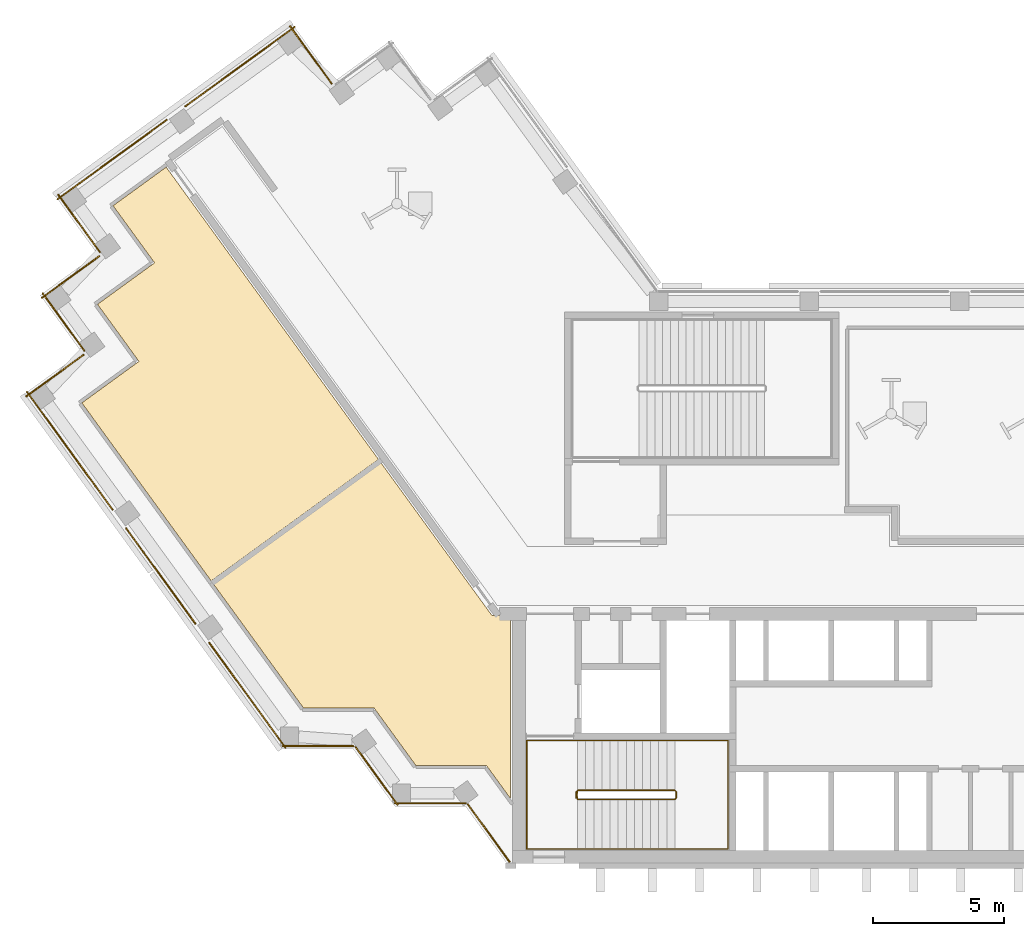
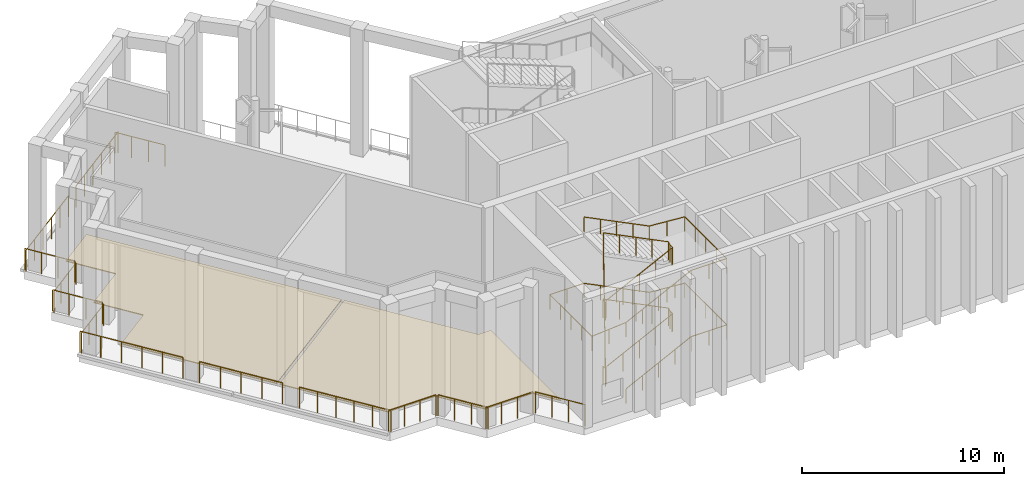
# One storey, part 7 of 12: 16 railings, 2 coverings.
"""IFC4 building model written with IfcOpenShell, lengths in metres."""

from ifc_helpers import new_model, si_unit, direction, frame, origin, origin_2d, place, context, subcontext, project, spatial, polyline, circle, outline, extrude, material, layer, layer_set, type_object, element, save


model = new_model("IFC4")

# Units and contexts
model_context = context("Model", 3, precision=1e-05, world=origin(), true_north=direction((0.0, 1.0)))
body_context = subcontext(model_context, "Body", "Model", "MODEL_VIEW")
ifc_project = project(units=[si_unit("LENGTHUNIT", "METRE"), si_unit("AREAUNIT", "SQUARE_METRE"), si_unit("VOLUMEUNIT", "CUBIC_METRE"), si_unit("PLANEANGLEUNIT", "RADIAN"), si_unit("MASSUNIT", "GRAM", prefix="KILO")], contexts=[model_context])

# Site, building, storey
site_placement = place(None, origin())
site = spatial("IfcSite", under=ifc_project, at=site_placement, CompositionType="ELEMENT")
building_placement = place(site_placement, origin())
building = spatial("IfcBuilding", under=site, at=building_placement, Name="Quipu Civic Tower", CompositionType="ELEMENT")
storey_placement = place(building_placement, frame((0.0, 0.0, 273.0)))
storey = spatial("IfcBuildingStorey", under=building, at=storey_placement, Name="L64", CompositionType="ELEMENT", Elevation=273.0)

# Coverings
ifc_material_1 = material(Name="Sealed cement screed")
ifc_layer = layer(ifc_material_1, 0.050048828125)
ifc_layer_set = layer_set([ifc_layer], Name="Sealed cement screed")
covering_type = type_object("IfcCoveringType", Name="Sealed screed floor finish 50", PredefinedType="FLOORING", material=ifc_layer_set)
covering_1_placement = place(storey_placement, origin())
element("IfcCovering", 1, at=covering_1_placement, inside=storey, type_object=covering_type, Name="Sealed screed floor finish 50", PredefinedType="FLOORING", context=body_context, shape_type="SweptSolid", body=[
    extrude(outline(polyline([(-31.43505859375, -0.303955078125), (-25.034912109375, 4.344970703125), (-20.77490234375, -1.51904296875), (-20.070068359375, -1.52001953125), (-20.070068359375, -8.514892578125), (-20.991943359375, -7.24609375), (-23.69189453125, -7.24609375), (-25.279052734375, -5.06103515625), (-27.97900390625, -5.06103515625), (-31.43505859375, -0.303955078125)])), origin(), (0.0, 0.0, 1.0), 0.050048828125),
])
covering_2_placement = place(storey_placement, origin())
element("IfcCovering", 2, at=covering_2_placement, inside=storey, type_object=covering_type, Name="Sealed screed floor finish 50", PredefinedType="FLOORING", context=body_context, shape_type="SweptSolid", body=[
    extrude(outline(polyline([(-36.462890625, 6.616943359375), (-34.280029296875, 8.2041015625), (-35.865966796875, 10.387939453125), (-33.68310546875, 11.97412109375), (-35.26904296875, 14.159912109375), (-33.238037109375, 15.635009765625), (-25.117919921875, 4.4580078125), (-31.51806640625, -0.19091796875), (-36.462890625, 6.616943359375)])), origin(), (0.0, 0.0, 1.0), 0.050048828125),
])

# Railings
ifc_material_2 = material(Name="Steel S275", Category="steel")
railing_type_1 = type_object("IfcRailingType", Name="Slot perimeter guard G3", PredefinedType="GUARDRAIL", material=ifc_material_2)
railing_1_placement = place(storey_placement, frame((-26.910888671875, 18.8349609375, 0.0)))
element("IfcRailing", 3, at=railing_1_placement, inside=storey, type_object=railing_type_1, Name="Slot guard L64.6", PredefinedType="GUARDRAIL", context=body_context, shape_type="SweptSolid", body=[
    extrude(circle(Radius=0.02490234375, at=origin_2d()), frame((0.0, 0.0, 1.27490234375), z_axis=(-0.587720002413, 0.809064397168, 0.0), x_axis=(-0.809064397168, -0.587720002413, 0.0)), (0.0, 0.0, 1.0), 2.7001953125),
    extrude(circle(Radius=0.02490234375, at=origin_2d()), origin(), (0.0, 0.0, 1.0), 1.25),
    extrude(circle(Radius=0.02490234375, at=origin_2d()), frame((-0.529052734375, 0.728271484375, 0.0)), (0.0, 0.0, 1.0), 1.25),
    extrude(circle(Radius=0.02490234375, at=origin_2d()), frame((-1.057861328125, 1.456298828125, 0.0)), (0.0, 0.0, 1.0), 1.25),
    extrude(circle(Radius=0.02490234375, at=origin_2d()), frame((-1.5869140625, 2.1845703125, 0.0)), (0.0, 0.0, 1.0), 1.25),
])
for number, where, name in (
    (4, (-28.330322265625, 20.992919921875, 0.0), "Slot guard L64.7"),
    (5, (-33.224853515625, 17.436767578125, 0.0), "Slot guard L64.8"),
):
    element("IfcRailing", number, at=place(storey_placement, frame(where)), inside=storey, type_object=railing_type_1, Name=name, PredefinedType="GUARDRAIL", context=body_context, shape_type="SweptSolid", body=[
        extrude(circle(Radius=0.02490234375, at=origin_2d()), frame((0.0, 0.0, 1.27490234375), z_axis=(-0.809020934422, -0.587779829245, 0.0), x_axis=(0.587779829245, -0.809020934422, 0.0)), (0.0, 0.0, 1.0), 5.150146484375),
        extrude(circle(Radius=0.02490234375, at=origin_2d()), origin(), (0.0, 0.0, 1.0), 1.25),
        extrude(circle(Radius=0.02490234375, at=origin_2d()), frame((-0.833251953125, -0.60546875, 0.0)), (0.0, 0.0, 1.0), 1.25),
        extrude(circle(Radius=0.02490234375, at=origin_2d()), frame((-1.66650390625, -1.2109375, 0.0)), (0.0, 0.0, 1.0), 1.25),
        extrude(circle(Radius=0.02490234375, at=origin_2d()), frame((-2.5, -1.816162109375, 0.0)), (0.0, 0.0, 1.0), 1.25),
        extrude(circle(Radius=0.02490234375, at=origin_2d()), frame((-3.333251953125, -2.421630859375, 0.0)), (0.0, 0.0, 1.0), 1.25),
        extrude(circle(Radius=0.02490234375, at=origin_2d()), frame((-4.16650390625, -3.027099609375, 0.0)), (0.0, 0.0, 1.0), 1.25),
    ])
railing_2_placement = place(storey_placement, frame((-37.36474609375, 14.577392578125, 0.0)))
element("IfcRailing", 6, at=railing_2_placement, inside=storey, type_object=railing_type_1, Name="Slot guard L64.9", PredefinedType="GUARDRAIL", context=body_context, shape_type="SweptSolid", body=[
    extrude(circle(Radius=0.02490234375, at=origin_2d()), frame((0.0, 0.0, 1.27490234375), z_axis=(0.587720002413, -0.809064397168, 0.0), x_axis=(0.809064397168, 0.587720002413, 0.0)), (0.0, 0.0, 1.0), 2.7001953125),
    extrude(circle(Radius=0.02490234375, at=origin_2d()), origin(), (0.0, 0.0, 1.0), 1.25),
    extrude(circle(Radius=0.02490234375, at=origin_2d()), frame((0.529052734375, -0.728271484375, 0.0)), (0.0, 0.0, 1.0), 1.25),
    extrude(circle(Radius=0.02490234375, at=origin_2d()), frame((1.057861328125, -1.456298828125, 0.0)), (0.0, 0.0, 1.0), 1.25),
    extrude(circle(Radius=0.02490234375, at=origin_2d()), frame((1.5869140625, -2.1845703125, 0.0)), (0.0, 0.0, 1.0), 1.25),
])
railing_3_placement = place(storey_placement, frame((-35.80419921875, 12.225341796875, 0.0)))
element("IfcRailing", 7, at=railing_3_placement, inside=storey, type_object=railing_type_1, Name="Slot guard L64.10", PredefinedType="GUARDRAIL", context=body_context, shape_type="SweptSolid", body=[
    extrude(circle(Radius=0.02490234375, at=origin_2d()), frame((0.0, 0.0, 1.27490234375), z_axis=(-0.809033161865, -0.587762999008, 0.0), x_axis=(0.587762999008, -0.809033161865, 0.0)), (0.0, 0.0, 1.0), 2.699951171875),
    extrude(circle(Radius=0.02490234375, at=origin_2d()), origin(), (0.0, 0.0, 1.0), 1.25),
    extrude(circle(Radius=0.02490234375, at=origin_2d()), frame((-0.72802734375, -0.529052734375, 0.0)), (0.0, 0.0, 1.0), 1.25),
    extrude(circle(Radius=0.02490234375, at=origin_2d()), frame((-1.456298828125, -1.057861328125, 0.0)), (0.0, 0.0, 1.0), 1.25),
    extrude(circle(Radius=0.02490234375, at=origin_2d()), frame((-2.184326171875, -1.5869140625, 0.0)), (0.0, 0.0, 1.0), 1.25),
])
railing_4_placement = place(storey_placement, frame((-37.9619140625, 10.805908203125, 0.0)))
element("IfcRailing", 8, at=railing_4_placement, inside=storey, type_object=railing_type_1, Name="Slot guard L64.11", PredefinedType="GUARDRAIL", context=body_context, shape_type="SweptSolid", body=[
    extrude(circle(Radius=0.02490234375, at=origin_2d()), frame((0.0, 0.0, 1.27490234375), z_axis=(0.587762999008, -0.809033161865, 0.0), x_axis=(0.809033161865, 0.587762999008, 0.0)), (0.0, 0.0, 1.0), 2.699951171875),
    extrude(circle(Radius=0.02490234375, at=origin_2d()), origin(), (0.0, 0.0, 1.0), 1.25),
    extrude(circle(Radius=0.02490234375, at=origin_2d()), frame((0.529052734375, -0.72802734375, 0.0)), (0.0, 0.0, 1.0), 1.25),
    extrude(circle(Radius=0.02490234375, at=origin_2d()), frame((1.057861328125, -1.456298828125, 0.0)), (0.0, 0.0, 1.0), 1.25),
    extrude(circle(Radius=0.02490234375, at=origin_2d()), frame((1.5869140625, -2.184326171875, 0.0)), (0.0, 0.0, 1.0), 1.25),
])
railing_5_placement = place(storey_placement, frame((-36.401611328125, 8.4541015625, 0.0)))
element("IfcRailing", 9, at=railing_5_placement, inside=storey, type_object=railing_type_1, Name="Slot guard L64.12", PredefinedType="GUARDRAIL", context=body_context, shape_type="SweptSolid", body=[
    extrude(circle(Radius=0.02490234375, at=origin_2d()), frame((0.0, 0.0, 1.27490234375), z_axis=(-0.808990163075, -0.587822180636, 0.0), x_axis=(0.587822180636, -0.808990163075, 0.0)), (0.0, 0.0, 1.0), 2.699951171875),
    extrude(circle(Radius=0.02490234375, at=origin_2d()), origin(), (0.0, 0.0, 1.0), 1.25),
    extrude(circle(Radius=0.02490234375, at=origin_2d()), frame((-0.72802734375, -0.529052734375, 0.0)), (0.0, 0.0, 1.0), 1.25),
    extrude(circle(Radius=0.02490234375, at=origin_2d()), frame((-1.456298828125, -1.05810546875, 0.0)), (0.0, 0.0, 1.0), 1.25),
    extrude(circle(Radius=0.02490234375, at=origin_2d()), frame((-2.184326171875, -1.587158203125, 0.0)), (0.0, 0.0, 1.0), 1.25),
])
railing_6_placement = place(storey_placement, frame((-38.559326171875, 7.034423828125, 0.0)))
element("IfcRailing", 10, at=railing_6_placement, inside=storey, type_object=railing_type_1, Name="Slot guard L64.13", PredefinedType="GUARDRAIL", context=body_context, shape_type="SweptSolid", body=[
    extrude(circle(Radius=0.02490234375, at=origin_2d()), frame((0.0, 0.0, 1.27490234375), z_axis=(0.587792681031, -0.809011597028, 0.0), x_axis=(0.809011597028, 0.587792681031, 0.0)), (0.0, 0.0, 1.0), 5.554443359375),
    extrude(circle(Radius=0.02490234375, at=origin_2d()), origin(), (0.0, 0.0, 1.0), 1.25),
    extrude(circle(Radius=0.02490234375, at=origin_2d()), frame((0.653076171875, -0.898681640625, 0.0)), (0.0, 0.0, 1.0), 1.25),
    extrude(circle(Radius=0.02490234375, at=origin_2d()), frame((1.305908203125, -1.79736328125, 0.0)), (0.0, 0.0, 1.0), 1.25),
    extrude(circle(Radius=0.02490234375, at=origin_2d()), frame((1.958984375, -2.6962890625, 0.0)), (0.0, 0.0, 1.0), 1.25),
    extrude(circle(Radius=0.02490234375, at=origin_2d()), frame((2.61181640625, -3.594970703125, 0.0)), (0.0, 0.0, 1.0), 1.25),
    extrude(circle(Radius=0.02490234375, at=origin_2d()), frame((3.264892578125, -4.49365234375, 0.0)), (0.0, 0.0, 1.0), 1.25),
])
railing_7_placement = place(storey_placement, frame((-34.765380859375, 1.8125, 0.0)))
element("IfcRailing", 11, at=railing_7_placement, inside=storey, type_object=railing_type_1, Name="Slot guard L64.14", PredefinedType="GUARDRAIL", context=body_context, shape_type="SweptSolid", body=[
    extrude(circle(Radius=0.02490234375, at=origin_2d()), frame((0.0, 0.0, 1.27490234375), z_axis=(0.587803872688, -0.809003465539, 0.0), x_axis=(0.809003465539, 0.587803872688, 0.0)), (0.0, 0.0, 1.0), 4.499755859375),
    extrude(circle(Radius=0.02490234375, at=origin_2d()), origin(), (0.0, 0.0, 1.0), 1.25),
    extrude(circle(Radius=0.02490234375, at=origin_2d()), frame((0.6611328125, -0.91015625, 0.0)), (0.0, 0.0, 1.0), 1.25),
    extrude(circle(Radius=0.02490234375, at=origin_2d()), frame((1.322509765625, -1.8203125, 0.0)), (0.0, 0.0, 1.0), 1.25),
    extrude(circle(Radius=0.02490234375, at=origin_2d()), frame((1.98388671875, -2.730224609375, 0.0)), (0.0, 0.0, 1.0), 1.25),
    extrude(circle(Radius=0.02490234375, at=origin_2d()), frame((2.64501953125, -3.640380859375, 0.0)), (0.0, 0.0, 1.0), 1.25),
])
railing_8_placement = place(storey_placement, frame((-31.59130859375, -2.55615234375, 0.0)))
element("IfcRailing", 12, at=railing_8_placement, inside=storey, type_object=railing_type_1, Name="Slot guard L64.15", PredefinedType="GUARDRAIL", context=body_context, shape_type="SweptSolid", body=[
    extrude(circle(Radius=0.02490234375, at=origin_2d()), frame((0.0, 0.0, 1.27490234375), z_axis=(0.587802132171, -0.809004730156, 0.0), x_axis=(0.809004730156, 0.587802132171, 0.0)), (0.0, 0.0, 1.0), 4.9501953125),
    extrude(circle(Radius=0.02490234375, at=origin_2d()), origin(), (0.0, 0.0, 1.0), 1.25),
    extrude(circle(Radius=0.02490234375, at=origin_2d()), frame((0.58203125, -0.801025390625, 0.0)), (0.0, 0.0, 1.0), 1.25),
    extrude(circle(Radius=0.02490234375, at=origin_2d()), frame((1.163818359375, -1.601806640625, 0.0)), (0.0, 0.0, 1.0), 1.25),
    extrude(circle(Radius=0.02490234375, at=origin_2d()), frame((1.745849609375, -2.40283203125, 0.0)), (0.0, 0.0, 1.0), 1.25),
    extrude(circle(Radius=0.02490234375, at=origin_2d()), frame((2.32763671875, -3.20361328125, 0.0)), (0.0, 0.0, 1.0), 1.25),
    extrude(circle(Radius=0.02490234375, at=origin_2d()), frame((2.90966796875, -4.004638671875, 0.0)), (0.0, 0.0, 1.0), 1.25),
])
railing_9_placement = place(storey_placement, frame((-28.77880859375, -6.51123046875, 0.0)))
element("IfcRailing", 13, at=railing_9_placement, inside=storey, type_object=railing_type_1, Name="Slot guard L64.16", PredefinedType="GUARDRAIL", context=body_context, shape_type="SweptSolid", body=[
    extrude(circle(Radius=0.02490234375, at=origin_2d()), frame((0.0, 0.0, 1.27490234375), z_axis=(1.0, 0.0, 0.0), x_axis=(0.0, 1.0, 0.0)), (0.0, 0.0, 1.0), 2.699951171875),
    extrude(circle(Radius=0.02490234375, at=origin_2d()), origin(), (0.0, 0.0, 1.0), 1.25),
    extrude(circle(Radius=0.02490234375, at=origin_2d()), frame((0.89990234375, 0.0, 0.0)), (0.0, 0.0, 1.0), 1.25),
    extrude(circle(Radius=0.02490234375, at=origin_2d()), frame((1.800048828125, 0.0, 0.0)), (0.0, 0.0, 1.0), 1.25),
    extrude(circle(Radius=0.02490234375, at=origin_2d()), frame((2.699951171875, 0.0, 0.0)), (0.0, 0.0, 1.0), 1.25),
])
railing_10_placement = place(storey_placement, frame((-25.981689453125, -6.560791015625, 0.0)))
element("IfcRailing", 14, at=railing_10_placement, inside=storey, type_object=railing_type_1, Name="Slot guard L64.17", PredefinedType="GUARDRAIL", context=body_context, shape_type="SweptSolid", body=[
    extrude(circle(Radius=0.02490234375, at=origin_2d()), frame((0.0, 0.0, 1.27490234375), z_axis=(0.587762999008, -0.809033161865, 0.0), x_axis=(0.809033161865, 0.587762999008, 0.0)), (0.0, 0.0, 1.0), 2.699951171875),
    extrude(circle(Radius=0.02490234375, at=origin_2d()), origin(), (0.0, 0.0, 1.0), 1.25),
    extrude(circle(Radius=0.02490234375, at=origin_2d()), frame((0.529052734375, -0.72802734375, 0.0)), (0.0, 0.0, 1.0), 1.25),
    extrude(circle(Radius=0.02490234375, at=origin_2d()), frame((1.057861328125, -1.456298828125, 0.0)), (0.0, 0.0, 1.0), 1.25),
    extrude(circle(Radius=0.02490234375, at=origin_2d()), frame((1.5869140625, -2.184326171875, 0.0)), (0.0, 0.0, 1.0), 1.25),
])
railing_11_placement = place(storey_placement, frame((-24.49169921875, -8.69580078125, 0.0)))
element("IfcRailing", 15, at=railing_11_placement, inside=storey, type_object=railing_type_1, Name="Slot guard L64.18", PredefinedType="GUARDRAIL", context=body_context, shape_type="SweptSolid", body=[
    extrude(circle(Radius=0.02490234375, at=origin_2d()), frame((0.0, 0.0, 1.27490234375), z_axis=(1.0, 0.0, 0.0), x_axis=(0.0, 1.0, 0.0)), (0.0, 0.0, 1.0), 2.699951171875),
    extrude(circle(Radius=0.02490234375, at=origin_2d()), origin(), (0.0, 0.0, 1.0), 1.25),
    extrude(circle(Radius=0.02490234375, at=origin_2d()), frame((0.89990234375, 0.0, 0.0)), (0.0, 0.0, 1.0), 1.25),
    extrude(circle(Radius=0.02490234375, at=origin_2d()), frame((1.800048828125, 0.0, 0.0)), (0.0, 0.0, 1.0), 1.25),
    extrude(circle(Radius=0.02490234375, at=origin_2d()), frame((2.699951171875, 0.0, 0.0)), (0.0, 0.0, 1.0), 1.25),
])
railing_12_placement = place(storey_placement, frame((-21.69482421875, -8.7451171875, 0.0)))
element("IfcRailing", 16, at=railing_12_placement, inside=storey, type_object=railing_type_1, Name="Slot guard L64.19", PredefinedType="GUARDRAIL", context=body_context, shape_type="SweptSolid", body=[
    extrude(circle(Radius=0.02490234375, at=origin_2d()), frame((0.0, 0.0, 1.27490234375), z_axis=(0.587822180636, -0.808990163075, 0.0), x_axis=(0.808990163075, 0.587822180636, 0.0)), (0.0, 0.0, 1.0), 2.699951171875),
    extrude(circle(Radius=0.02490234375, at=origin_2d()), origin(), (0.0, 0.0, 1.0), 1.25),
    extrude(circle(Radius=0.02490234375, at=origin_2d()), frame((0.529052734375, -0.72802734375, 0.0)), (0.0, 0.0, 1.0), 1.25),
    extrude(circle(Radius=0.02490234375, at=origin_2d()), frame((1.05810546875, -1.456298828125, 0.0)), (0.0, 0.0, 1.0), 1.25),
    extrude(circle(Radius=0.02490234375, at=origin_2d()), frame((1.587158203125, -2.184326171875, 0.0)), (0.0, 0.0, 1.0), 1.25),
])
ifc_material_3 = material(Name="Stainless steel", Category="steel")
railing_type_2 = type_object("IfcRailingType", Name="Stair guard 1100", PredefinedType="GUARDRAIL", material=ifc_material_3)
railing_13_placement = place(storey_placement, frame((-17.5, -8.550048828125, 0.15380859375)))
element("IfcRailing", 17, at=railing_13_placement, inside=storey, type_object=railing_type_2, Name="Stair 1 guard", PredefinedType="GUARDRAIL", context=body_context, shape_type="SweptSolid", body=[
    extrude(circle(Radius=0.02392578125, at=origin_2d()), frame((0.0, 0.0, 1.076171875), z_axis=(0.895751851347, 0.0, 0.444554407028), x_axis=(0.0, 1.0, 0.0)), (0.0, 0.0, 1.0), 4.15283203125),
    extrude(circle(Radius=0.02392578125, at=origin_2d()), frame((3.719970703125, 0.0, 2.92236328125), z_axis=(0.707106781187, 0.707106781187, 0.0), x_axis=(-0.707106781187, 0.707106781187, 0.0)), (0.0, 0.0, 1.0), 0.07080078125),
    extrude(circle(Radius=0.02392578125, at=origin_2d()), frame((3.77001953125, 0.050048828125, 2.92236328125), z_axis=(0.0, 1.0, 0.0), x_axis=(-1.0, 0.0, 0.0)), (0.0, 0.0, 1.0), 0.25),
    extrude(circle(Radius=0.02392578125, at=origin_2d()), frame((3.77001953125, 0.300048828125, 2.92236328125), z_axis=(-0.295599637079, 0.295599637079, 0.908428152975), x_axis=(-0.707106781187, -0.707106781187, 0.0)), (0.0, 0.0, 1.0), 0.16943359375),
    extrude(circle(Radius=0.02392578125, at=origin_2d()), frame((3.719970703125, 0.35009765625, 3.076171875), z_axis=(-0.895751851347, 0.0, 0.444554407028), x_axis=(0.0, -1.0, 0.0)), (0.0, 0.0, 1.0), 4.15283203125),
    extrude(circle(Radius=0.02392578125, at=origin_2d()), frame((0.0, 0.35009765625, 4.92236328125), z_axis=(-0.164529134168, -0.986372223864, 0.0), x_axis=(0.986372223864, -0.164529134168, 0.0)), (0.0, 0.0, 1.0), 0.30419921875),
    extrude(circle(Radius=0.02392578125, at=origin_2d()), frame((-0.050048828125, 0.050048828125, 4.92236328125), z_axis=(0.0, 1.0, 0.0), x_axis=(-1.0, 0.0, 0.0)), (0.0, 0.0, 1.0), 0.25),
    extrude(circle(Radius=0.02392578125, at=origin_2d()), frame((-0.050048828125, 0.300048828125, 4.92236328125), z_axis=(0.146827419986, -0.880248288601, 0.451225729714), x_axis=(0.986372223864, 0.164529134168, 0.0)), (0.0, 0.0, 1.0), 0.3408203125),
    extrude(circle(Radius=0.02392578125, at=origin_2d()), frame((0.0, 0.0, 5.076171875), z_axis=(0.895751851347, 0.0, 0.444554407028), x_axis=(0.0, 1.0, 0.0)), (0.0, 0.0, 1.0), 4.15283203125),
    extrude(circle(Radius=0.02392578125, at=origin_2d()), frame((3.719970703125, 0.0, 6.92236328125), z_axis=(0.707106781187, 0.707106781187, 0.0), x_axis=(-0.707106781187, 0.707106781187, 0.0)), (0.0, 0.0, 1.0), 0.07080078125),
    extrude(circle(Radius=0.02392578125, at=origin_2d()), frame((3.77001953125, 0.050048828125, 6.92236328125), z_axis=(0.0, 1.0, 0.0), x_axis=(-1.0, 0.0, 0.0)), (0.0, 0.0, 1.0), 0.25),
    extrude(circle(Radius=0.02392578125, at=origin_2d()), frame((3.77001953125, 0.300048828125, 6.92236328125), z_axis=(-0.295599637079, 0.295599637079, 0.908428152975), x_axis=(-0.707106781187, -0.707106781187, 0.0)), (0.0, 0.0, 1.0), 0.16943359375),
    extrude(circle(Radius=0.02392578125, at=origin_2d()), frame((3.719970703125, 0.35009765625, 7.076171875), z_axis=(-0.895751851347, 0.0, 0.444554407028), x_axis=(0.0, -1.0, 0.0)), (0.0, 0.0, 1.0), 4.15283203125),
    extrude(circle(Radius=0.02392578125, at=origin_2d()), frame((0.0, 0.35009765625, 8.92236328125), z_axis=(-0.006251585731, -0.037479018846, -0.999277859668), x_axis=(0.986372223864, -0.164529134168, 0.0)), (0.0, 0.0, 1.0), 8.005859375),
    extrude(circle(Radius=0.02392578125, at=origin_2d()), frame((-0.050048828125, 0.050048828125, 0.92236328125), z_axis=(0.0, 1.0, 0.0), x_axis=(-1.0, 0.0, 0.0)), (0.0, 0.0, 1.0), 0.25),
    extrude(circle(Radius=0.02099609375, at=origin_2d()), origin(), (0.0, 0.0, 1.0), 1.052001953125),
    extrude(circle(Radius=0.02099609375, at=origin_2d()), frame((0.929931640625, 0.0, 0.46142578125)), (0.0, 0.0, 1.0), 1.052001953125),
    extrude(circle(Radius=0.02099609375, at=origin_2d()), frame((1.85986328125, 0.0, 0.923095703125)), (0.0, 0.0, 1.0), 1.052001953125),
    extrude(circle(Radius=0.02099609375, at=origin_2d()), frame((2.7900390625, 0.0, 1.384765625)), (0.0, 0.0, 1.0), 1.052001953125),
    extrude(circle(Radius=0.02099609375, at=origin_2d()), frame((3.719970703125, 0.0, 1.84619140625)), (0.0, 0.0, 1.0), 1.052001953125),
    extrude(circle(Radius=0.02099609375, at=origin_2d()), frame((3.77001953125, 0.050048828125, 1.84619140625)), (0.0, 0.0, 1.0), 1.052001953125),
    extrude(circle(Radius=0.02099609375, at=origin_2d()), frame((3.77001953125, 0.300048828125, 1.84619140625)), (0.0, 0.0, 1.0), 1.052001953125),
    extrude(circle(Radius=0.02099609375, at=origin_2d()), frame((3.719970703125, 0.35009765625, 2.0)), (0.0, 0.0, 1.0), 1.052001953125),
    extrude(circle(Radius=0.02099609375, at=origin_2d()), frame((2.7900390625, 0.35009765625, 2.46142578125)), (0.0, 0.0, 1.0), 1.052001953125),
    extrude(circle(Radius=0.02099609375, at=origin_2d()), frame((1.85986328125, 0.35009765625, 2.923095703125)), (0.0, 0.0, 1.0), 1.052001953125),
    extrude(circle(Radius=0.02099609375, at=origin_2d()), frame((0.929931640625, 0.35009765625, 3.384765625)), (0.0, 0.0, 1.0), 1.052001953125),
    extrude(circle(Radius=0.02099609375, at=origin_2d()), frame((0.0, 0.35009765625, 3.84619140625)), (0.0, 0.0, 1.0), 1.052001953125),
    extrude(circle(Radius=0.02099609375, at=origin_2d()), frame((-0.050048828125, 0.050048828125, 3.84619140625)), (0.0, 0.0, 1.0), 1.052001953125),
    extrude(circle(Radius=0.02099609375, at=origin_2d()), frame((-0.050048828125, 0.300048828125, 3.84619140625)), (0.0, 0.0, 1.0), 1.052001953125),
    extrude(circle(Radius=0.02099609375, at=origin_2d()), frame((0.0, 0.0, 4.0)), (0.0, 0.0, 1.0), 1.052001953125),
    extrude(circle(Radius=0.02099609375, at=origin_2d()), frame((0.929931640625, 0.0, 4.46142578125)), (0.0, 0.0, 1.0), 1.052001953125),
    extrude(circle(Radius=0.02099609375, at=origin_2d()), frame((1.85986328125, 0.0, 4.923095703125)), (0.0, 0.0, 1.0), 1.052001953125),
    extrude(circle(Radius=0.02099609375, at=origin_2d()), frame((2.7900390625, 0.0, 5.384765625)), (0.0, 0.0, 1.0), 1.052001953125),
    extrude(circle(Radius=0.02099609375, at=origin_2d()), frame((3.719970703125, 0.0, 5.84619140625)), (0.0, 0.0, 1.0), 1.052001953125),
    extrude(circle(Radius=0.02099609375, at=origin_2d()), frame((3.77001953125, 0.050048828125, 5.84619140625)), (0.0, 0.0, 1.0), 1.052001953125),
    extrude(circle(Radius=0.02099609375, at=origin_2d()), frame((3.77001953125, 0.300048828125, 5.84619140625)), (0.0, 0.0, 1.0), 1.052001953125),
    extrude(circle(Radius=0.02099609375, at=origin_2d()), frame((3.719970703125, 0.35009765625, 6.0)), (0.0, 0.0, 1.0), 1.052001953125),
    extrude(circle(Radius=0.02099609375, at=origin_2d()), frame((2.7900390625, 0.35009765625, 6.46142578125)), (0.0, 0.0, 1.0), 1.052001953125),
    extrude(circle(Radius=0.02099609375, at=origin_2d()), frame((1.85986328125, 0.35009765625, 6.923095703125)), (0.0, 0.0, 1.0), 1.052001953125),
    extrude(circle(Radius=0.02099609375, at=origin_2d()), frame((0.929931640625, 0.35009765625, 7.384765625)), (0.0, 0.0, 1.0), 1.052001953125),
    extrude(circle(Radius=0.02099609375, at=origin_2d()), frame((0.0, 0.35009765625, 7.84619140625)), (0.0, 0.0, 1.0), 1.052001953125),
    extrude(circle(Radius=0.02099609375, at=origin_2d()), frame((-0.007080078125, 0.30712890625, 6.703369140625)), (0.0, 0.0, 1.0), 1.052001953125),
    extrude(circle(Radius=0.02099609375, at=origin_2d()), frame((-0.014404296875, 0.264404296875, 5.560546875)), (0.0, 0.0, 1.0), 1.052001953125),
    extrude(circle(Radius=0.02099609375, at=origin_2d()), frame((-0.021484375, 0.221435546875, 4.417724609375)), (0.0, 0.0, 1.0), 1.052001953125),
    extrude(circle(Radius=0.02099609375, at=origin_2d()), frame((-0.028564453125, 0.1787109375, 3.274658203125)), (0.0, 0.0, 1.0), 1.052001953125),
    extrude(circle(Radius=0.02099609375, at=origin_2d()), frame((-0.03564453125, 0.1357421875, 2.1318359375)), (0.0, 0.0, 1.0), 1.052001953125),
    extrude(circle(Radius=0.02099609375, at=origin_2d()), frame((-0.04296875, 0.093017578125, 0.989013671875)), (0.0, 0.0, 1.0), 1.052001953125),
    extrude(circle(Radius=0.02099609375, at=origin_2d()), frame((-0.050048828125, 0.050048828125, -0.15380859375)), (0.0, 0.0, 1.0), 1.052001953125),
    extrude(circle(Radius=0.02099609375, at=origin_2d()), frame((-0.050048828125, 0.300048828125, -0.15380859375)), (0.0, 0.0, 1.0), 1.052001953125),
])
ifc_material_4 = material(Name="Stainless steel", Category="steel")
railing_type_3 = type_object("IfcRailingType", Name="Stair handrail", PredefinedType="HANDRAIL", material=ifc_material_4)
railing_14_placement = place(storey_placement, frame((-17.5, -10.449951171875, 0.15380859375)))
element("IfcRailing", 18, at=railing_14_placement, inside=storey, type_object=railing_type_3, Name="Stair 1 handrail", PredefinedType="HANDRAIL", context=body_context, shape_type="SweptSolid", body=[
    extrude(circle(Radius=0.02392578125, at=origin_2d()), frame((0.0, 0.0, 0.8759765625), z_axis=(0.895751851347, 0.0, 0.444554407028), x_axis=(0.0, 1.0, 0.0)), (0.0, 0.0, 1.0), 4.15283203125),
    extrude(circle(Radius=0.02392578125, at=origin_2d()), frame((3.719970703125, 0.0, 2.72216796875), z_axis=(1.0, 0.0, 0.0), x_axis=(0.0, 1.0, 0.0)), (0.0, 0.0, 1.0), 2.030029296875),
    extrude(circle(Radius=0.02392578125, at=origin_2d()), frame((5.75, 0.0, 2.72216796875), z_axis=(0.0, 1.0, 0.0), x_axis=(-1.0, 0.0, 0.0)), (0.0, 0.0, 1.0), 4.14990234375),
    extrude(circle(Radius=0.02392578125, at=origin_2d()), frame((5.75, 4.14990234375, 2.72216796875), z_axis=(-0.997142003663, 0.0, 0.075550145798), x_axis=(0.0, -1.0, 0.0)), (0.0, 0.0, 1.0), 2.035888671875),
    extrude(circle(Radius=0.02392578125, at=origin_2d()), frame((3.719970703125, 4.14990234375, 2.8759765625), z_axis=(-0.895751851347, 0.0, 0.444554407028), x_axis=(0.0, -1.0, 0.0)), (0.0, 0.0, 1.0), 4.15283203125),
    extrude(circle(Radius=0.02392578125, at=origin_2d()), frame((0.0, 4.14990234375, 4.72216796875), z_axis=(-1.0, 0.0, 0.0), x_axis=(0.0, -1.0, 0.0)), (0.0, 0.0, 1.0), 1.949951171875),
    extrude(circle(Radius=0.02392578125, at=origin_2d()), frame((-1.949951171875, 4.14990234375, 4.72216796875), z_axis=(0.0, -1.0, 0.0), x_axis=(1.0, 0.0, 0.0)), (0.0, 0.0, 1.0), 4.14990234375),
    extrude(circle(Radius=0.02392578125, at=origin_2d()), frame((-1.949951171875, 0.0, 4.72216796875), z_axis=(0.99690355813, 0.0, 0.078633935348), x_axis=(0.0, 1.0, 0.0)), (0.0, 0.0, 1.0), 1.9560546875),
    extrude(circle(Radius=0.02392578125, at=origin_2d()), frame((0.0, 0.0, 4.8759765625), z_axis=(0.895751851347, 0.0, 0.444554407028), x_axis=(0.0, 1.0, 0.0)), (0.0, 0.0, 1.0), 4.15283203125),
    extrude(circle(Radius=0.02392578125, at=origin_2d()), frame((3.719970703125, 0.0, 6.72216796875), z_axis=(1.0, 0.0, 0.0), x_axis=(0.0, 1.0, 0.0)), (0.0, 0.0, 1.0), 2.030029296875),
    extrude(circle(Radius=0.02392578125, at=origin_2d()), frame((5.75, 0.0, 6.72216796875), z_axis=(0.0, 1.0, 0.0), x_axis=(-1.0, 0.0, 0.0)), (0.0, 0.0, 1.0), 4.14990234375),
    extrude(circle(Radius=0.02392578125, at=origin_2d()), frame((5.75, 4.14990234375, 6.72216796875), z_axis=(-0.997142003663, 0.0, 0.075550145798), x_axis=(0.0, -1.0, 0.0)), (0.0, 0.0, 1.0), 2.035888671875),
    extrude(circle(Radius=0.02392578125, at=origin_2d()), frame((3.719970703125, 4.14990234375, 6.8759765625), z_axis=(-0.895751851347, 0.0, 0.444554407028), x_axis=(0.0, -1.0, 0.0)), (0.0, 0.0, 1.0), 4.15283203125),
    extrude(circle(Radius=0.02099609375, at=origin_2d()), origin(), (0.0, 0.0, 1.0), 0.851806640625),
    extrude(circle(Radius=0.02099609375, at=origin_2d()), frame((0.929931640625, 0.0, 0.46142578125)), (0.0, 0.0, 1.0), 0.851806640625),
    extrude(circle(Radius=0.02099609375, at=origin_2d()), frame((1.85986328125, 0.0, 0.923095703125)), (0.0, 0.0, 1.0), 0.851806640625),
    extrude(circle(Radius=0.02099609375, at=origin_2d()), frame((2.7900390625, 0.0, 1.384765625)), (0.0, 0.0, 1.0), 0.851806640625),
    extrude(circle(Radius=0.02099609375, at=origin_2d()), frame((3.719970703125, 0.0, 1.84619140625)), (0.0, 0.0, 1.0), 0.851806640625),
    extrude(circle(Radius=0.02099609375, at=origin_2d()), frame((4.73486328125, 0.0, 1.84619140625)), (0.0, 0.0, 1.0), 0.851806640625),
    extrude(circle(Radius=0.02099609375, at=origin_2d()), frame((5.75, 0.0, 1.84619140625)), (0.0, 0.0, 1.0), 0.851806640625),
    extrude(circle(Radius=0.02099609375, at=origin_2d()), frame((5.75, 1.03759765625, 1.84619140625)), (0.0, 0.0, 1.0), 0.851806640625),
    extrude(circle(Radius=0.02099609375, at=origin_2d()), frame((5.75, 2.074951171875, 1.84619140625)), (0.0, 0.0, 1.0), 0.851806640625),
    extrude(circle(Radius=0.02099609375, at=origin_2d()), frame((5.75, 3.1123046875, 1.84619140625)), (0.0, 0.0, 1.0), 0.851806640625),
    extrude(circle(Radius=0.02099609375, at=origin_2d()), frame((5.75, 4.14990234375, 1.84619140625)), (0.0, 0.0, 1.0), 0.851806640625),
    extrude(circle(Radius=0.02099609375, at=origin_2d()), frame((4.73486328125, 4.14990234375, 1.923095703125)), (0.0, 0.0, 1.0), 0.851806640625),
    extrude(circle(Radius=0.02099609375, at=origin_2d()), frame((3.719970703125, 4.14990234375, 2.0)), (0.0, 0.0, 1.0), 0.851806640625),
    extrude(circle(Radius=0.02099609375, at=origin_2d()), frame((2.7900390625, 4.14990234375, 2.46142578125)), (0.0, 0.0, 1.0), 0.851806640625),
    extrude(circle(Radius=0.02099609375, at=origin_2d()), frame((1.85986328125, 4.14990234375, 2.923095703125)), (0.0, 0.0, 1.0), 0.851806640625),
    extrude(circle(Radius=0.02099609375, at=origin_2d()), frame((0.929931640625, 4.14990234375, 3.384765625)), (0.0, 0.0, 1.0), 0.851806640625),
    extrude(circle(Radius=0.02099609375, at=origin_2d()), frame((0.0, 4.14990234375, 3.84619140625)), (0.0, 0.0, 1.0), 0.851806640625),
    extrude(circle(Radius=0.02099609375, at=origin_2d()), frame((-0.97509765625, 4.14990234375, 3.84619140625)), (0.0, 0.0, 1.0), 0.851806640625),
    extrude(circle(Radius=0.02099609375, at=origin_2d()), frame((-1.949951171875, 4.14990234375, 3.84619140625)), (0.0, 0.0, 1.0), 0.851806640625),
    extrude(circle(Radius=0.02099609375, at=origin_2d()), frame((-1.949951171875, 3.1123046875, 3.84619140625)), (0.0, 0.0, 1.0), 0.851806640625),
    extrude(circle(Radius=0.02099609375, at=origin_2d()), frame((-1.949951171875, 2.074951171875, 3.84619140625)), (0.0, 0.0, 1.0), 0.851806640625),
    extrude(circle(Radius=0.02099609375, at=origin_2d()), frame((-1.949951171875, 1.03759765625, 3.84619140625)), (0.0, 0.0, 1.0), 0.851806640625),
    extrude(circle(Radius=0.02099609375, at=origin_2d()), frame((-1.949951171875, 0.0, 3.84619140625)), (0.0, 0.0, 1.0), 0.851806640625),
    extrude(circle(Radius=0.02099609375, at=origin_2d()), frame((-0.97509765625, 0.0, 3.923095703125)), (0.0, 0.0, 1.0), 0.851806640625),
    extrude(circle(Radius=0.02099609375, at=origin_2d()), frame((0.0, 0.0, 4.0)), (0.0, 0.0, 1.0), 0.851806640625),
    extrude(circle(Radius=0.02099609375, at=origin_2d()), frame((0.929931640625, 0.0, 4.46142578125)), (0.0, 0.0, 1.0), 0.851806640625),
    extrude(circle(Radius=0.02099609375, at=origin_2d()), frame((1.85986328125, 0.0, 4.923095703125)), (0.0, 0.0, 1.0), 0.851806640625),
    extrude(circle(Radius=0.02099609375, at=origin_2d()), frame((2.7900390625, 0.0, 5.384765625)), (0.0, 0.0, 1.0), 0.851806640625),
    extrude(circle(Radius=0.02099609375, at=origin_2d()), frame((3.719970703125, 0.0, 5.84619140625)), (0.0, 0.0, 1.0), 0.851806640625),
    extrude(circle(Radius=0.02099609375, at=origin_2d()), frame((4.73486328125, 0.0, 5.84619140625)), (0.0, 0.0, 1.0), 0.851806640625),
    extrude(circle(Radius=0.02099609375, at=origin_2d()), frame((5.75, 0.0, 5.84619140625)), (0.0, 0.0, 1.0), 0.851806640625),
    extrude(circle(Radius=0.02099609375, at=origin_2d()), frame((5.75, 1.03759765625, 5.84619140625)), (0.0, 0.0, 1.0), 0.851806640625),
    extrude(circle(Radius=0.02099609375, at=origin_2d()), frame((5.75, 2.074951171875, 5.84619140625)), (0.0, 0.0, 1.0), 0.851806640625),
    extrude(circle(Radius=0.02099609375, at=origin_2d()), frame((5.75, 3.1123046875, 5.84619140625)), (0.0, 0.0, 1.0), 0.851806640625),
    extrude(circle(Radius=0.02099609375, at=origin_2d()), frame((5.75, 4.14990234375, 5.84619140625)), (0.0, 0.0, 1.0), 0.851806640625),
    extrude(circle(Radius=0.02099609375, at=origin_2d()), frame((4.73486328125, 4.14990234375, 5.923095703125)), (0.0, 0.0, 1.0), 0.851806640625),
    extrude(circle(Radius=0.02099609375, at=origin_2d()), frame((3.719970703125, 4.14990234375, 6.0)), (0.0, 0.0, 1.0), 0.851806640625),
    extrude(circle(Radius=0.02099609375, at=origin_2d()), frame((2.7900390625, 4.14990234375, 6.46142578125)), (0.0, 0.0, 1.0), 0.851806640625),
    extrude(circle(Radius=0.02099609375, at=origin_2d()), frame((1.85986328125, 4.14990234375, 6.923095703125)), (0.0, 0.0, 1.0), 0.851806640625),
    extrude(circle(Radius=0.02099609375, at=origin_2d()), frame((0.929931640625, 4.14990234375, 7.384765625)), (0.0, 0.0, 1.0), 0.851806640625),
    extrude(circle(Radius=0.02099609375, at=origin_2d()), frame((0.0, 4.14990234375, 7.84619140625)), (0.0, 0.0, 1.0), 0.851806640625),
])

save(model, "model.ifc")
